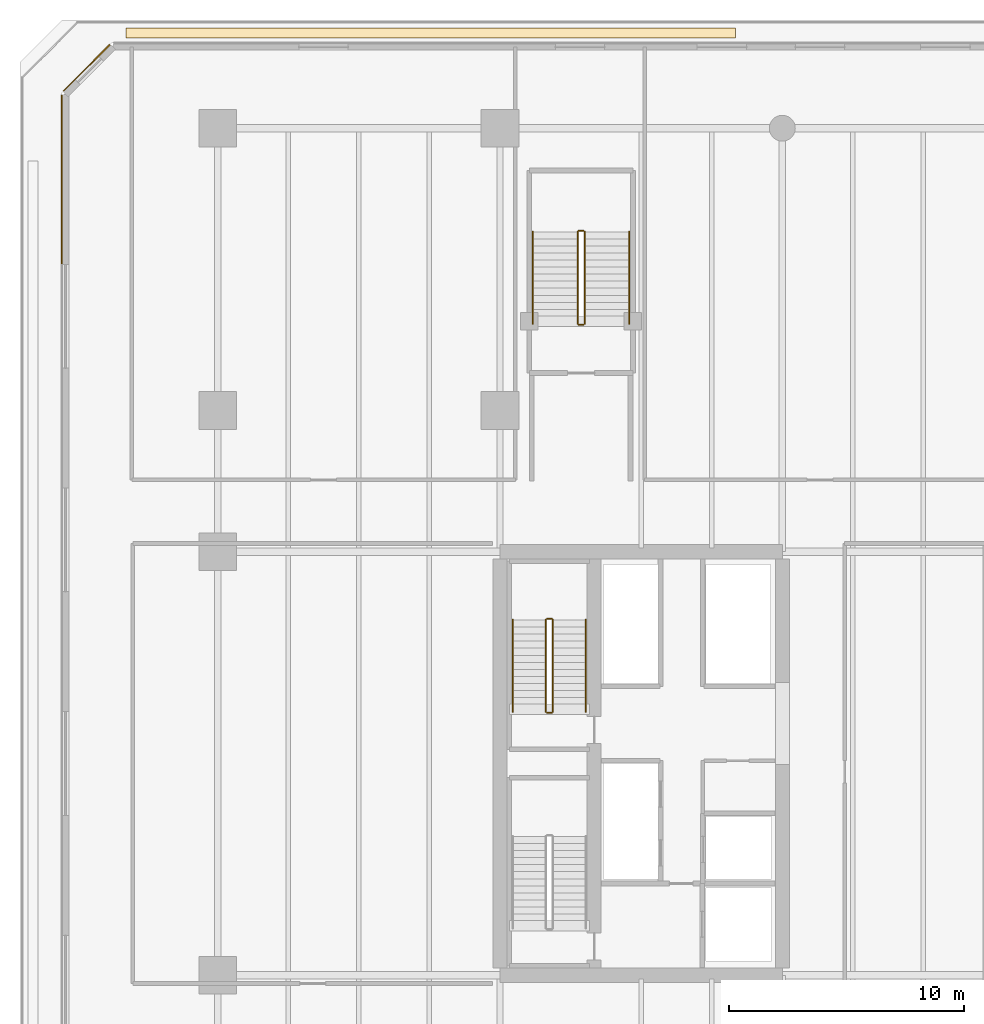
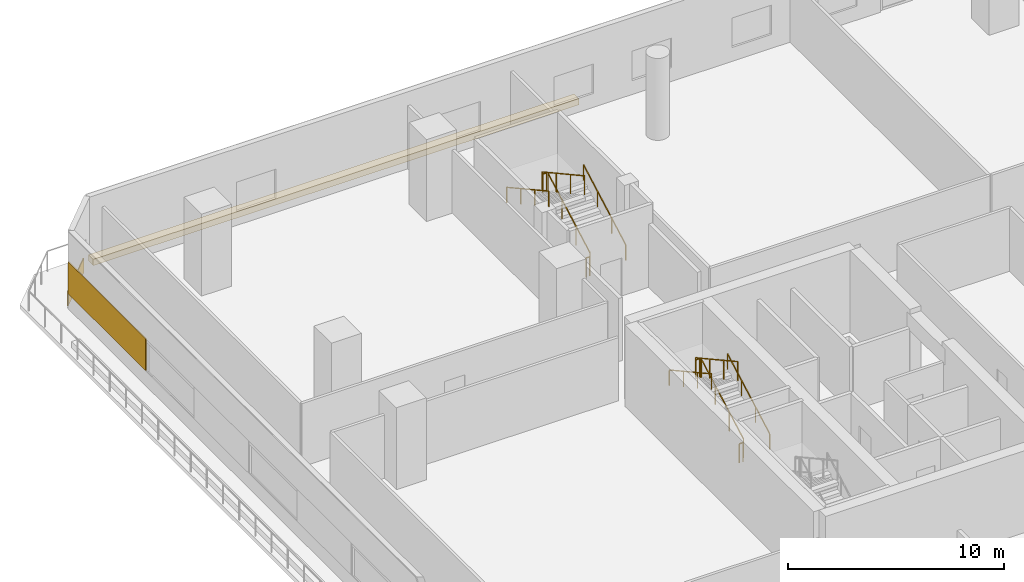
# One storey, part 21 of 27: 12 railings, 3 coverings.
"""IFC4 building model written with IfcOpenShell, lengths in metres."""

from ifc_helpers import new_model, si_unit, direction, frame, origin, origin_2d, place, context, subcontext, project, spatial, polyline, rectangle, outline, extrude, material, layer, layer_set, type_object, element, save


model = new_model("IFC4")

# Units and contexts
model_context = context("Model", 3, precision=1e-05, world=origin(), true_north=direction((0.0, 1.0)))
body_context = subcontext(model_context, "Body", "Model", "MODEL_VIEW")
ifc_project = project(units=[si_unit("LENGTHUNIT", "METRE"), si_unit("AREAUNIT", "SQUARE_METRE"), si_unit("VOLUMEUNIT", "CUBIC_METRE"), si_unit("PLANEANGLEUNIT", "RADIAN"), si_unit("MASSUNIT", "GRAM", prefix="KILO")], contexts=[model_context])

# Site, building, storey
site_placement = place(None, origin())
site = spatial("IfcSite", under=ifc_project, at=site_placement, CompositionType="ELEMENT")
building_placement = place(site_placement, origin())
building = spatial("IfcBuilding", under=site, at=building_placement, Name="Tanjung Sevakor Pilgrim Tower", CompositionType="ELEMENT")
storey_placement = place(building_placement, frame((0.0, 0.0, 14.85009765625)))
storey = spatial("IfcBuildingStorey", under=building, at=storey_placement, Name="L04", CompositionType="ELEMENT", Elevation=14.85009765625)

# Coverings
ifc_material_1 = material(Name="Reconstructed Limestone Cladding", Category="masonry")
ifc_layer_1 = layer(ifc_material_1, 0.044921875)
ifc_layer_set_1 = layer_set([ifc_layer_1], Name="COV-CLAD-LIMESTONE")
covering_type_1 = type_object("IfcCoveringType", Name="COV-CLAD-LIMESTONE", PredefinedType="CLADDING", material=ifc_layer_set_1)
covering_1_placement = place(storey_placement, frame((6.43408203125, 63.166015625, 0.009765625), z_axis=(0.0, 0.0, 1.0), x_axis=(-0.707106781187, -0.707106781187, 0.0)))
element("IfcCovering", 1, at=covering_1_placement, inside=storey, type_object=covering_type_1, Name="L04 Warm Limestone Sill Spandrel EW-L04-MAIN-6-1", PredefinedType="CLADDING", context=body_context, shape_type="SweptSolid", body=[
    extrude(rectangle(XDim=2.77392578125, YDim=0.044921875, at=origin_2d()), origin(), (0.0, 0.0, 1.0), 0.840087890625),
])
covering_2_placement = place(storey_placement, frame((5.37744140625, 58.426025390625, 0.849853515625), z_axis=(0.0, 0.0, 1.0), x_axis=(0.0, -1.0, 0.0)))
element("IfcCovering", 2, at=covering_2_placement, inside=storey, type_object=covering_type_1, Name="L04 Warm Limestone Pier Panel EW-L04-MAIN-7-1", PredefinedType="CLADDING", context=body_context, shape_type="SweptSolid", body=[
    extrude(rectangle(XDim=7.152099609375, YDim=0.044921875, at=origin_2d()), origin(), (0.0, 0.0, 1.0), 1.81005859375),
])
ifc_material_2 = material(Name="Vegetated Modular Planter Assembly", Category="organic")
ifc_layer_2 = layer(ifc_material_2, 0.35009765625)
ifc_layer_set_2 = layer_set([ifc_layer_2], Name="COV-GRN-TROUGH")
covering_type_2 = type_object("IfcCoveringType", Name="COV-GRN-TROUGH", PredefinedType="CLADDING", material=ifc_layer_set_2)
covering_3_placement = place(storey_placement, origin())
element("IfcCovering", 3, at=covering_3_placement, inside=storey, type_object=covering_type_2, Name="L04 Planted Landscape Hedge Trough PGRN-L04-NW", PredefinedType="CLADDING", context=body_context, shape_type="SweptSolid", body=[
    extrude(outline(polyline([(8.10009765625, 64.429931640625), (34.0, 64.429931640625), (34.0, 64.8701171875), (8.10009765625, 64.8701171875), (8.10009765625, 64.429931640625)])), origin(), (0.0, 0.0, 1.0), 0.349853515625),
])

# Railings
ifc_material_3 = material(Name="Steel S355J2", Category="steel")
railing_type_1 = type_object("IfcRailingType", Name="RL-STAIR-GUARD", PredefinedType="GUARDRAIL", material=ifc_material_3)
railing_1_placement = place(storey_placement, frame((26.25, 35.800048828125, 0.164794921875)))
element("IfcRailing", 4, at=railing_1_placement, inside=storey, type_object=railing_type_1, Name="L04 TS-W2 stair guard 1", PredefinedType="GUARDRAIL", context=body_context, shape_type="SweptSolid", body=[
    extrude(rectangle(XDim=0.0479, YDim=0.0479), frame((0.0, 0.0, 1.076171875), z_axis=(0.0, 0.876208959939, 0.481931383625), x_axis=(-1.0, 0.0, 0.0)), (0.0, 0.0, 1.0), 4.450927734375),
    extrude(rectangle(XDim=0.042, YDim=0.042), origin(), (0.0, 0.0, 1.0), 1.052001953125),
    extrude(rectangle(XDim=0.042, YDim=0.042), frame((0.0, 1.300048828125, 0.715087890625)), (0.0, 0.0, 1.0), 1.052001953125),
    extrude(rectangle(XDim=0.042, YDim=0.042), frame((0.0, 2.599853515625, 1.429931640625)), (0.0, 0.0, 1.0), 1.052001953125),
    extrude(rectangle(XDim=0.042, YDim=0.042), frame((0.0, 3.89990234375, 2.14501953125)), (0.0, 0.0, 1.0), 1.052001953125),
])
railing_2_placement = place(storey_placement, frame((26.199951171875, 39.75, 2.309814453125)))
element("IfcRailing", 5, at=railing_2_placement, inside=storey, type_object=railing_type_1, Name="L04 TS-W2 stair guard 2", PredefinedType="GUARDRAIL", context=body_context, shape_type="SweptSolid", body=[
    extrude(rectangle(XDim=0.0479, YDim=0.0479), frame((0.0, 0.0, 1.076171875), z_axis=(-1.0, 0.0, 0.0), x_axis=(0.0, -1.0, 0.0)), (0.0, 0.0, 1.0), 0.199951171875),
    extrude(rectangle(XDim=0.042, YDim=0.042), origin(), (0.0, 0.0, 1.0), 1.052001953125),
    extrude(rectangle(XDim=0.042, YDim=0.042), frame((-0.199951171875, 0.0, 0.0)), (0.0, 0.0, 1.0), 1.052001953125),
])
railing_3_placement = place(storey_placement, frame((25.949951171875, 39.699951171875, 2.474853515625)))
element("IfcRailing", 6, at=railing_3_placement, inside=storey, type_object=railing_type_1, Name="L04 TS-W2 stair guard 3", PredefinedType="GUARDRAIL", context=body_context, shape_type="SweptSolid", body=[
    extrude(rectangle(XDim=0.0479, YDim=0.0479), frame((0.0, 0.0, 1.076171875), z_axis=(0.0, -0.876208959939, 0.481931383625), x_axis=(1.0, 0.0, 0.0)), (0.0, 0.0, 1.0), 4.450927734375),
    extrude(rectangle(XDim=0.042, YDim=0.042), origin(), (0.0, 0.0, 1.0), 1.052001953125),
    extrude(rectangle(XDim=0.042, YDim=0.042), frame((0.0, -1.300048828125, 0.715087890625)), (0.0, 0.0, 1.0), 1.052001953125),
    extrude(rectangle(XDim=0.042, YDim=0.042), frame((0.0, -2.599853515625, 1.429931640625)), (0.0, 0.0, 1.0), 1.052001953125),
    extrude(rectangle(XDim=0.042, YDim=0.042), frame((0.0, -3.89990234375, 2.14501953125)), (0.0, 0.0, 1.0), 1.052001953125),
])
railing_4_placement = place(storey_placement, frame((26.199951171875, 35.75, 0.0)))
element("IfcRailing", 7, at=railing_4_placement, inside=storey, type_object=railing_type_1, Name="L04 TS-W2 stair guard 4", PredefinedType="GUARDRAIL", context=body_context, shape_type="SweptSolid", body=[
    extrude(rectangle(XDim=0.0479, YDim=0.0479), frame((0.0, 0.0, 1.076171875), z_axis=(-1.0, 0.0, 0.0), x_axis=(0.0, -1.0, 0.0)), (0.0, 0.0, 1.0), 0.199951171875),
    extrude(rectangle(XDim=0.042, YDim=0.042), origin(), (0.0, 0.0, 1.0), 1.052001953125),
    extrude(rectangle(XDim=0.042, YDim=0.042), frame((-0.199951171875, 0.0, 0.0)), (0.0, 0.0, 1.0), 1.052001953125),
])
railing_5_placement = place(storey_placement, frame((27.60009765625, 52.300048828125, 0.164794921875)))
element("IfcRailing", 8, at=railing_5_placement, inside=storey, type_object=railing_type_1, Name="L04 PS-2 stair guard 1", PredefinedType="GUARDRAIL", context=body_context, shape_type="SweptSolid", body=[
    extrude(rectangle(XDim=0.0479, YDim=0.0479), frame((0.0, 0.0, 1.076171875), z_axis=(0.0, 0.876208959939, 0.481931383625), x_axis=(-1.0, 0.0, 0.0)), (0.0, 0.0, 1.0), 4.450927734375),
    extrude(rectangle(XDim=0.042, YDim=0.042), origin(), (0.0, 0.0, 1.0), 1.052001953125),
    extrude(rectangle(XDim=0.042, YDim=0.042), frame((0.0, 1.300048828125, 0.715087890625)), (0.0, 0.0, 1.0), 1.052001953125),
    extrude(rectangle(XDim=0.042, YDim=0.042), frame((0.0, 2.599853515625, 1.429931640625)), (0.0, 0.0, 1.0), 1.052001953125),
    extrude(rectangle(XDim=0.042, YDim=0.042), frame((0.0, 3.89990234375, 2.14501953125)), (0.0, 0.0, 1.0), 1.052001953125),
])
railing_6_placement = place(storey_placement, frame((27.550048828125, 56.25, 2.309814453125)))
element("IfcRailing", 9, at=railing_6_placement, inside=storey, type_object=railing_type_1, Name="L04 PS-2 stair guard 2", PredefinedType="GUARDRAIL", context=body_context, shape_type="SweptSolid", body=[
    extrude(rectangle(XDim=0.0479, YDim=0.0479), frame((0.0, 0.0, 1.076171875), z_axis=(-1.0, 0.0, 0.0), x_axis=(0.0, -1.0, 0.0)), (0.0, 0.0, 1.0), 0.199951171875),
    extrude(rectangle(XDim=0.042, YDim=0.042), origin(), (0.0, 0.0, 1.0), 1.052001953125),
    extrude(rectangle(XDim=0.042, YDim=0.042), frame((-0.199951171875, 0.0, 0.0)), (0.0, 0.0, 1.0), 1.052001953125),
])
railing_7_placement = place(storey_placement, frame((27.300048828125, 56.199951171875, 2.474853515625)))
element("IfcRailing", 10, at=railing_7_placement, inside=storey, type_object=railing_type_1, Name="L04 PS-2 stair guard 3", PredefinedType="GUARDRAIL", context=body_context, shape_type="SweptSolid", body=[
    extrude(rectangle(XDim=0.0479, YDim=0.0479), frame((0.0, 0.0, 1.076171875), z_axis=(0.0, -0.876208959939, 0.481931383625), x_axis=(1.0, 0.0, 0.0)), (0.0, 0.0, 1.0), 4.450927734375),
    extrude(rectangle(XDim=0.042, YDim=0.042), origin(), (0.0, 0.0, 1.0), 1.052001953125),
    extrude(rectangle(XDim=0.042, YDim=0.042), frame((0.0, -1.300048828125, 0.715087890625)), (0.0, 0.0, 1.0), 1.052001953125),
    extrude(rectangle(XDim=0.042, YDim=0.042), frame((0.0, -2.599853515625, 1.429931640625)), (0.0, 0.0, 1.0), 1.052001953125),
    extrude(rectangle(XDim=0.042, YDim=0.042), frame((0.0, -3.89990234375, 2.14501953125)), (0.0, 0.0, 1.0), 1.052001953125),
])
railing_8_placement = place(storey_placement, frame((27.550048828125, 52.25, 0.0)))
element("IfcRailing", 11, at=railing_8_placement, inside=storey, type_object=railing_type_1, Name="L04 PS-2 stair guard 4", PredefinedType="GUARDRAIL", context=body_context, shape_type="SweptSolid", body=[
    extrude(rectangle(XDim=0.0479, YDim=0.0479), frame((0.0, 0.0, 1.076171875), z_axis=(-1.0, 0.0, 0.0), x_axis=(0.0, -1.0, 0.0)), (0.0, 0.0, 1.0), 0.199951171875),
    extrude(rectangle(XDim=0.042, YDim=0.042), origin(), (0.0, 0.0, 1.0), 1.052001953125),
    extrude(rectangle(XDim=0.042, YDim=0.042), frame((-0.199951171875, 0.0, 0.0)), (0.0, 0.0, 1.0), 1.052001953125),
])
ifc_material_4 = material(Name="Steel S355J2", Category="steel")
railing_type_2 = type_object("IfcRailingType", Name="RL-STAIR-HAND", PredefinedType="HANDRAIL", material=ifc_material_4)
railing_9_placement = place(storey_placement, frame((27.64990234375, 35.800048828125, 0.164794921875)))
element("IfcRailing", 12, at=railing_9_placement, inside=storey, type_object=railing_type_2, Name="L04 TS-W2 stair handrail 1", PredefinedType="HANDRAIL", context=body_context, shape_type="SweptSolid", body=[
    extrude(rectangle(XDim=0.0479, YDim=0.0479), frame((0.0, 0.0, 0.8759765625), z_axis=(0.0, 0.876208959939, 0.481931383625), x_axis=(-1.0, 0.0, 0.0)), (0.0, 0.0, 1.0), 4.450927734375),
    extrude(rectangle(XDim=0.042, YDim=0.042), origin(), (0.0, 0.0, 1.0), 0.851806640625),
    extrude(rectangle(XDim=0.042, YDim=0.042), frame((0.0, 1.300048828125, 0.715087890625)), (0.0, 0.0, 1.0), 0.851806640625),
    extrude(rectangle(XDim=0.042, YDim=0.042), frame((0.0, 2.599853515625, 1.429931640625)), (0.0, 0.0, 1.0), 0.851806640625),
    extrude(rectangle(XDim=0.042, YDim=0.042), frame((0.0, 3.89990234375, 2.14501953125)), (0.0, 0.0, 1.0), 0.851806640625),
])
railing_10_placement = place(storey_placement, frame((24.550048828125, 39.699951171875, 2.474853515625)))
element("IfcRailing", 13, at=railing_10_placement, inside=storey, type_object=railing_type_2, Name="L04 TS-W2 stair handrail 2", PredefinedType="HANDRAIL", context=body_context, shape_type="SweptSolid", body=[
    extrude(rectangle(XDim=0.0479, YDim=0.0479), frame((0.0, 0.0, 0.8759765625), z_axis=(0.0, -0.876208959939, 0.481931383625), x_axis=(1.0, 0.0, 0.0)), (0.0, 0.0, 1.0), 4.450927734375),
    extrude(rectangle(XDim=0.042, YDim=0.042), origin(), (0.0, 0.0, 1.0), 0.851806640625),
    extrude(rectangle(XDim=0.042, YDim=0.042), frame((0.0, -1.300048828125, 0.715087890625)), (0.0, 0.0, 1.0), 0.851806640625),
    extrude(rectangle(XDim=0.042, YDim=0.042), frame((0.0, -2.599853515625, 1.429931640625)), (0.0, 0.0, 1.0), 0.851806640625),
    extrude(rectangle(XDim=0.042, YDim=0.042), frame((0.0, -3.89990234375, 2.14501953125)), (0.0, 0.0, 1.0), 0.851806640625),
])
railing_11_placement = place(storey_placement, frame((29.5, 52.300048828125, 0.164794921875)))
element("IfcRailing", 14, at=railing_11_placement, inside=storey, type_object=railing_type_2, Name="L04 PS-2 stair handrail 1", PredefinedType="HANDRAIL", context=body_context, shape_type="SweptSolid", body=[
    extrude(rectangle(XDim=0.0479, YDim=0.0479), frame((0.0, 0.0, 0.8759765625), z_axis=(0.0, 0.876208959939, 0.481931383625), x_axis=(-1.0, 0.0, 0.0)), (0.0, 0.0, 1.0), 4.450927734375),
    extrude(rectangle(XDim=0.042, YDim=0.042), origin(), (0.0, 0.0, 1.0), 0.851806640625),
    extrude(rectangle(XDim=0.042, YDim=0.042), frame((0.0, 1.300048828125, 0.715087890625)), (0.0, 0.0, 1.0), 0.851806640625),
    extrude(rectangle(XDim=0.042, YDim=0.042), frame((0.0, 2.599853515625, 1.429931640625)), (0.0, 0.0, 1.0), 0.851806640625),
    extrude(rectangle(XDim=0.042, YDim=0.042), frame((0.0, 3.89990234375, 2.14501953125)), (0.0, 0.0, 1.0), 0.851806640625),
])
railing_12_placement = place(storey_placement, frame((25.39990234375, 56.199951171875, 2.474853515625)))
element("IfcRailing", 15, at=railing_12_placement, inside=storey, type_object=railing_type_2, Name="L04 PS-2 stair handrail 2", PredefinedType="HANDRAIL", context=body_context, shape_type="SweptSolid", body=[
    extrude(rectangle(XDim=0.0479, YDim=0.0479), frame((0.0, 0.0, 0.8759765625), z_axis=(0.0, -0.876208959939, 0.481931383625), x_axis=(1.0, 0.0, 0.0)), (0.0, 0.0, 1.0), 4.450927734375),
    extrude(rectangle(XDim=0.042, YDim=0.042), origin(), (0.0, 0.0, 1.0), 0.851806640625),
    extrude(rectangle(XDim=0.042, YDim=0.042), frame((0.0, -1.300048828125, 0.715087890625)), (0.0, 0.0, 1.0), 0.851806640625),
    extrude(rectangle(XDim=0.042, YDim=0.042), frame((0.0, -2.599853515625, 1.429931640625)), (0.0, 0.0, 1.0), 0.851806640625),
    extrude(rectangle(XDim=0.042, YDim=0.042), frame((0.0, -3.89990234375, 2.14501953125)), (0.0, 0.0, 1.0), 0.851806640625),
])

save(model, "model.ifc")
